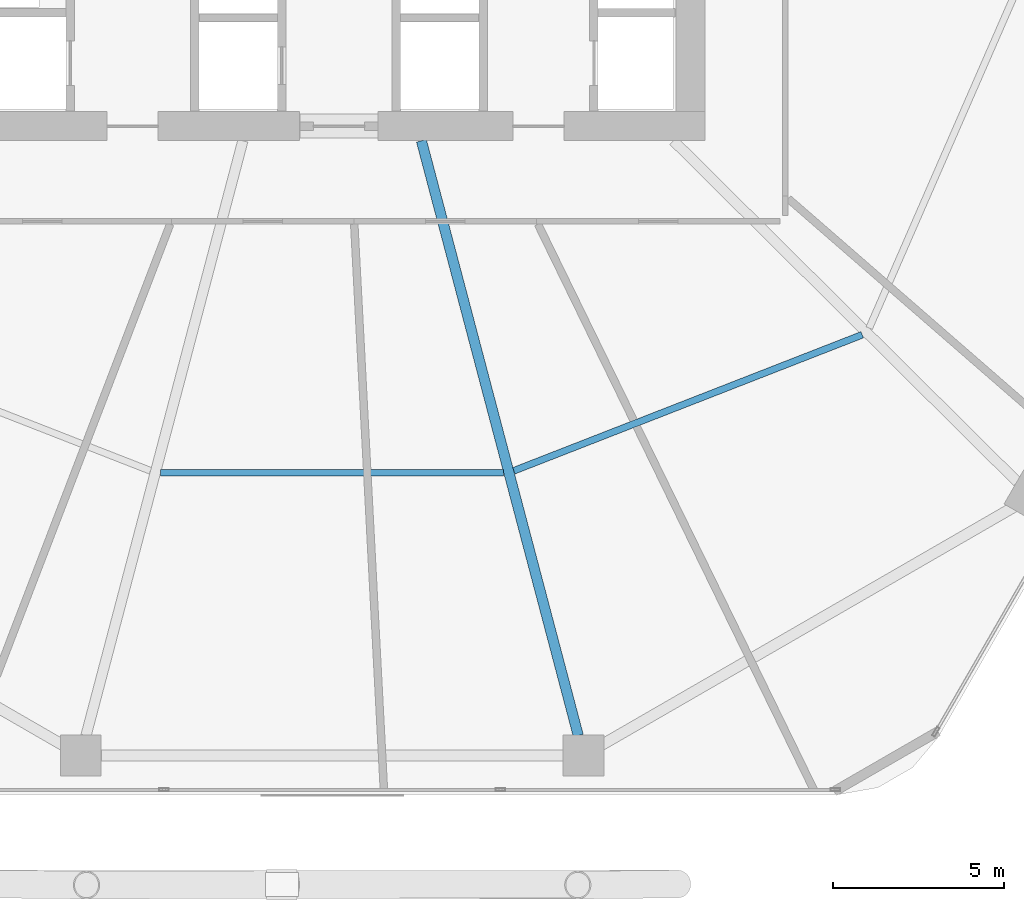
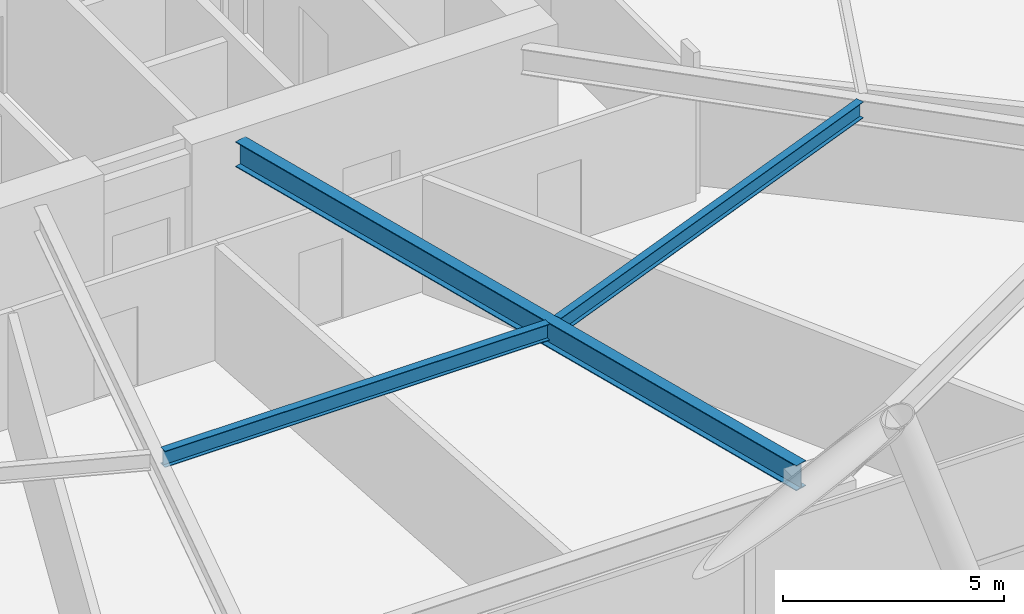
# One storey, part 8 of 31: 3 beams.
"""IFC4 building model written with IfcOpenShell, lengths in metres."""

from ifc_helpers import new_model, si_unit, direction, frame, origin, origin_2d, place, context, subcontext, project, spatial, i_section, extrude, material, material_profile, profile_set, type_object, element, save


model = new_model("IFC4")

# Units and contexts
model_context = context("Model", 3, precision=1e-05, world=origin(), true_north=direction((0.0, 1.0)))
body_context = subcontext(model_context, "Body", "Model", "MODEL_VIEW")
ifc_project = project(units=[si_unit("LENGTHUNIT", "METRE"), si_unit("AREAUNIT", "SQUARE_METRE"), si_unit("VOLUMEUNIT", "CUBIC_METRE"), si_unit("PLANEANGLEUNIT", "RADIAN"), si_unit("MASSUNIT", "GRAM", prefix="KILO")], contexts=[model_context])

# Site, building, storey
site_placement = place(None, origin())
site = spatial("IfcSite", under=ifc_project, at=site_placement, CompositionType="ELEMENT")
building_placement = place(site_placement, origin())
building = spatial("IfcBuilding", under=site, at=building_placement, Name="Zuhravey Tower", CompositionType="ELEMENT")
storey_placement = place(building_placement, frame((0.0, 0.0, 7.800048828125)))
storey = spatial("IfcBuildingStorey", under=building, at=storey_placement, Name="L02", CompositionType="ELEMENT", Elevation=7.800048828125)

# Beams
ifc_material = material(Name="Steel SM355", Category="steel")
ifc_material_profile_1 = material_profile(ifc_material, i_section(OverallWidth=0.300048828125, OverallDepth=0.699951171875, WebThickness=0.012939453125, FlangeThickness=0.02392578125, at=origin_2d()), Name="H-700x300x13x24")
ifc_profile_set_1 = profile_set([ifc_material_profile_1], Name="Steel SM355")
beam_type_1 = type_object("IfcBeamType", Name="Radial Primary Girder H700x300", PredefinedType="BEAM", material=ifc_profile_set_1)
beam_1_placement = place(storey_placement, frame((38.617919921875, 22.072021484375, 3.570068359375), z_axis=(0.254989720435, -0.966943763862, 0.0), x_axis=(0.966943763862, 0.254989720435, 0.0)))
element("IfcBeam", 1, at=beam_1_placement, inside=storey, type_object=beam_type_1, Name="L02 RG1 BM-L02-RAD-10", PredefinedType="BEAM", context=body_context, shape_type="SweptSolid", body=[
    extrude(i_section(OverallWidth=0.300048828125, OverallDepth=0.699951171875, WebThickness=0.012939453125, FlangeThickness=0.02392578125, at=origin_2d()), origin(), (0.0, 0.0, 1.0), 18.03369140625),
])
ifc_material_profile_2 = material_profile(ifc_material, i_section(OverallWidth=0.199951171875, OverallDepth=0.449951171875, WebThickness=0.009033203125, FlangeThickness=0.013916015625, at=origin_2d()), Name="H-450x200x9x14")
ifc_profile_set_2 = profile_set([ifc_material_profile_2], Name="Steel SM355")
beam_type_2 = type_object("IfcBeamType", Name="Secondary Floor Joist H450x200", PredefinedType="JOIST", material=ifc_profile_set_2)
beam_2_placement = place(storey_placement, frame((30.969970703125, 12.3408203125, 3.695068359375), z_axis=(1.0, 0.0, 0.0), x_axis=(0.0, 1.0, 0.0)))
element("IfcBeam", 2, at=beam_2_placement, inside=storey, type_object=beam_type_2, Name="L02 SJ1 BM-L02-SJ-09-1", PredefinedType="JOIST", context=body_context, shape_type="SweptSolid", body=[
    extrude(i_section(OverallWidth=0.199951171875, OverallDepth=0.449951171875, WebThickness=0.009033203125, FlangeThickness=0.013916015625, at=origin_2d()), origin(), (0.0, 0.0, 1.0), 10.06005859375),
])
beam_3_placement = place(storey_placement, frame((41.32763671875, 12.39697265625, 3.695068359375), z_axis=(0.931516535886, 0.363698973562, 0.0), x_axis=(-0.363698973562, 0.931516535886, 0.0)))
element("IfcBeam", 3, at=beam_3_placement, inside=storey, type_object=beam_type_2, Name="L02 SJ1 BM-L02-SJ-10-1", PredefinedType="JOIST", context=body_context, shape_type="SweptSolid", body=[
    extrude(i_section(OverallWidth=0.199951171875, OverallDepth=0.449951171875, WebThickness=0.009033203125, FlangeThickness=0.013916015625, at=origin_2d()), origin(), (0.0, 0.0, 1.0), 10.963134765625),
])

save(model, "model.ifc")
